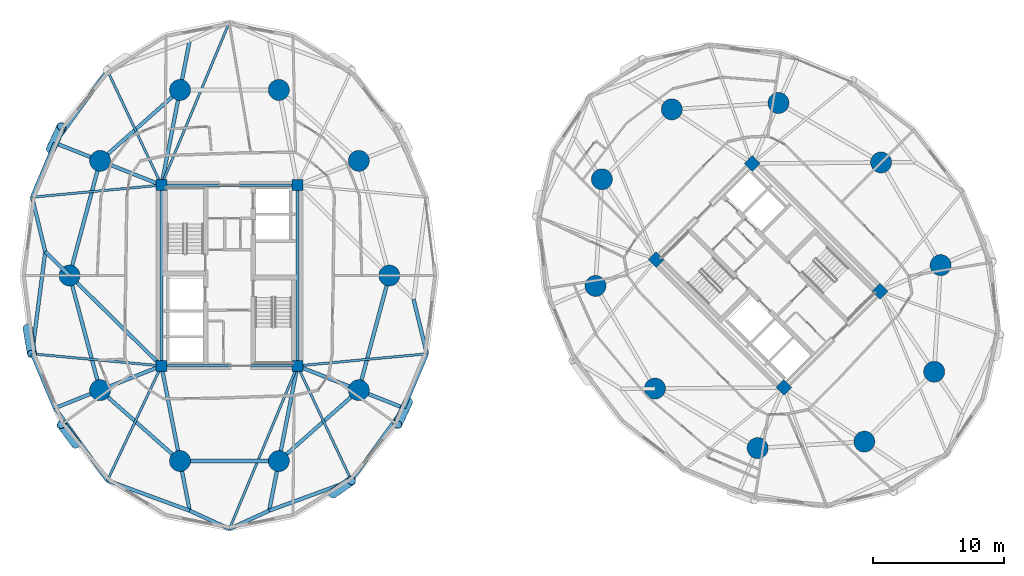
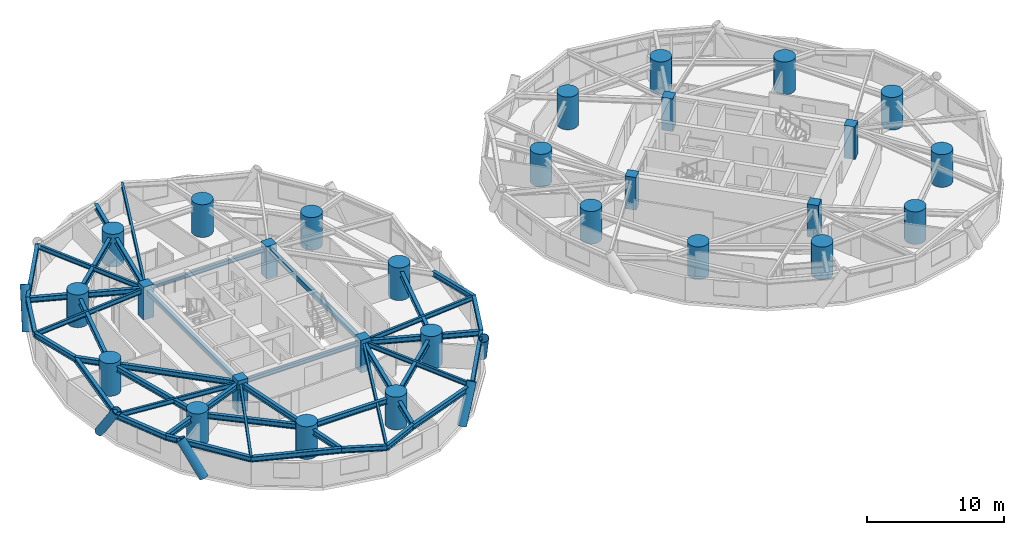
# One storey, part 1 of 16: 40 beams, 28 columns, 5 members.
"""IFC4 building model written with IfcOpenShell, lengths in metres."""

from ifc_helpers import new_model, si_unit, direction, frame, origin, origin_2d, place, context, subcontext, project, spatial, rectangle, hollow_rectangle, circle, hollow_circle, i_section, extrude, material, material_profile, profile_set, type_object, element, save


model = new_model("IFC4")

# Units and contexts
model_context = context("Model", 3, precision=1e-05, world=origin(), true_north=direction((0.0, 1.0)))
body_context = subcontext(model_context, "Body", "Model", "MODEL_VIEW")
ifc_project = project(units=[si_unit("LENGTHUNIT", "METRE"), si_unit("AREAUNIT", "SQUARE_METRE"), si_unit("VOLUMEUNIT", "CUBIC_METRE"), si_unit("PLANEANGLEUNIT", "RADIAN"), si_unit("MASSUNIT", "GRAM", prefix="KILO")], contexts=[model_context])

# Site, building, storey
site_placement = place(None, origin())
site = spatial("IfcSite", under=ifc_project, at=site_placement, CompositionType="ELEMENT")
building_placement = place(site_placement, origin())
building = spatial("IfcBuilding", under=site, at=building_placement, Name="Cununo Teusaquillo Station Towers", CompositionType="ELEMENT")
storey_placement = place(building_placement, frame((0.0, 0.0, 62.739990234375)))
storey = spatial("IfcBuildingStorey", under=building, at=storey_placement, Name="L19", CompositionType="ELEMENT", Elevation=62.739990234375)

# Columns
ifc_material_1 = material(Name="Concrete C50/60", Category="concrete")
ifc_material_profile_1 = material_profile(ifc_material_1, rectangle(XDim=0.85009765625, YDim=0.85009765625, at=origin_2d()), Name="RC-RECT-850x850")
ifc_profile_set_1 = profile_set([ifc_material_profile_1], Name="Concrete C50/60")
column_type_1 = type_object("IfcColumnType", Name="COL-CORE-Z1", PredefinedType="COLUMN", material=ifc_profile_set_1)
for number, where, z_axis, x_axis, name in (
    (1, (11.324951171875, 17.6201171875, 0.0), (0.0, 0.0, 1.0), (1.0, 0.0, 0.0), "L19 Tower A Core Column 1"),
    (2, (11.324951171875, 31.3798828125, 0.0), (0.0, 0.0, 1.0), (1.0, 0.0, 0.0), "L19 Tower A Core Column 2"),
    (3, (21.675048828125, 17.6201171875, 0.0), (0.0, 0.0, 1.0), (1.0, 0.0, 0.0), "L19 Tower A Core Column 3"),
    (4, (21.675048828125, 31.3798828125, 0.0), (0.0, 0.0, 1.0), (1.0, 0.0, 0.0), "L19 Tower A Core Column 4"),
    (5, (58.70556640625, 15.975830078125, 0.0), (0.0, 0.0, 1.0), (0.707106781187, 0.707106781187, 0.0), "L19 Tower B Core Column 1"),
    (6, (48.975830078125, 25.70556640625, 0.0), (0.0, 0.0, 1.0), (0.707106781187, 0.707106781187, 0.0), "L19 Tower B Core Column 2"),
    (7, (66.024169921875, 23.29443359375, 0.0), (0.0, 0.0, 1.0), (0.707106781187, 0.707106781187, 0.0), "L19 Tower B Core Column 3"),
    (8, (56.29443359375, 33.024169921875, 0.0), (0.0, 0.0, 1.0), (0.707106781187, 0.707106781187, 0.0), "L19 Tower B Core Column 4"),
):
    element("IfcColumn", number, at=place(storey_placement, frame(where, z_axis=z_axis, x_axis=x_axis)), inside=storey, type_object=column_type_1, Name=name, PredefinedType="COLUMN", context=body_context, shape_type="SweptSolid", body=[
        extrude(rectangle(XDim=0.85009765625, YDim=0.85009765625, at=origin_2d()), origin(), (0.0, 0.0, 1.0), 2.909912109375),
    ])
ifc_material_2 = material(Name="Concrete C60/75", Category="concrete")
ifc_material_profile_2 = material_profile(ifc_material_2, circle(Radius=0.800048828125, at=origin_2d()), Name="RC-CIRC-1600")
ifc_profile_set_2 = profile_set([ifc_material_profile_2], Name="Concrete C60/75")
column_type_2 = type_object("IfcColumnType", Name="COL-MEGA-Z1", PredefinedType="USERDEFINED", material=ifc_profile_set_2)
for number, where, z_axis, x_axis, name in (
    (9, (28.672119140625, 24.5, 0.0), (0.0, 0.0, 1.0), (1.0, 0.0, 0.0), "L19 Tower A Perimeter Column V00"),
    (10, (26.347412109375, 33.228515625, 0.0), (0.0, 0.0, 1.0), (1.0, 0.0, 0.0), "L19 Tower A Perimeter Column V02"),
    (11, (20.261474609375, 38.623291015625, 0.0), (0.0, 0.0, 1.0), (1.0, 0.0, 0.0), "L19 Tower A Perimeter Column V04"),
    (12, (12.738525390625, 38.623291015625, 0.0), (0.0, 0.0, 1.0), (1.0, 0.0, 0.0), "L19 Tower A Perimeter Column V06"),
    (13, (6.652587890625, 33.228515625, 0.0), (0.0, 0.0, 1.0), (1.0, 0.0, 0.0), "L19 Tower A Perimeter Column V08"),
    (14, (4.327880859375, 24.5, 0.0), (0.0, 0.0, 1.0), (1.0, 0.0, 0.0), "L19 Tower A Perimeter Column V10"),
    (15, (6.652587890625, 15.771484375, 0.0), (0.0, 0.0, 1.0), (1.0, 0.0, 0.0), "L19 Tower A Perimeter Column V12"),
    (16, (12.738525390625, 10.376708984375, 0.0), (0.0, 0.0, 1.0), (1.0, 0.0, 0.0), "L19 Tower A Perimeter Column V14"),
    (17, (20.261474609375, 10.376708984375, 0.0), (0.0, 0.0, 1.0), (1.0, 0.0, 0.0), "L19 Tower A Perimeter Column V16"),
    (18, (26.347412109375, 15.771484375, 0.0), (0.0, 0.0, 1.0), (1.0, 0.0, 0.0), "L19 Tower A Perimeter Column V18"),
    (19, (66.10693359375, 33.10693359375, 0.0), (0.0, 0.0, 1.0), (1.0, 0.0, 0.0), "L19 Tower B Perimeter Column V00"),
    (20, (58.291015625, 37.63525390625, 0.0), (0.0, 0.0, 1.0), (1.0, 0.0, 0.0), "L19 Tower B Perimeter Column V02"),
    (21, (50.173095703125, 37.146240234375, 0.0), (0.0, 0.0, 1.0), (1.0, 0.0, 0.0), "L19 Tower B Perimeter Column V04"),
    (22, (44.853759765625, 31.826904296875, 0.0), (0.0, 0.0, 1.0), (1.0, 0.0, 0.0), "L19 Tower B Perimeter Column V06"),
    (23, (44.36474609375, 23.708984375, 0.0), (0.0, 0.0, 1.0), (1.0, 0.0, 0.0), "L19 Tower B Perimeter Column V08"),
    (24, (48.89306640625, 15.89306640625, 0.0), (0.0, 0.0, 1.0), (1.0, 0.0, 0.0), "L19 Tower B Perimeter Column V10"),
    (25, (56.708984375, 11.36474609375, 0.0), (0.0, 0.0, 1.0), (1.0, 0.0, 0.0), "L19 Tower B Perimeter Column V12"),
    (26, (64.826904296875, 11.853759765625, 0.0), (0.0, 0.0, 1.0), (1.0, 0.0, 0.0), "L19 Tower B Perimeter Column V14"),
    (27, (70.146240234375, 17.173095703125, 0.0), (0.0, 0.0, 1.0), (1.0, 0.0, 0.0), "L19 Tower B Perimeter Column V16"),
    (28, (70.63525390625, 25.291015625, 0.0), (0.0, 0.0, 1.0), (1.0, 0.0, 0.0), "L19 Tower B Perimeter Column V18"),
):
    element("IfcColumn", number, at=place(storey_placement, frame(where, z_axis=z_axis, x_axis=x_axis)), inside=storey, type_object=column_type_2, Name=name, ObjectType="MEGA COLUMN", PredefinedType="USERDEFINED", context=body_context, shape_type="SweptSolid", body=[
        extrude(circle(Radius=0.800048828125, at=origin_2d()), origin(), (0.0, 0.0, 1.0), 2.909912109375),
    ])

# Beams
ifc_material_3 = material(Name="Steel EN 10025-2 S355J2", Category="steel")
ifc_material_profile_3 = material_profile(ifc_material_3, hollow_rectangle(XDim=0.25, YDim=0.449951171875, WallThickness=0.01611328125, at=origin_2d()), Name="RHS 450x250x16")
ifc_profile_set_3 = profile_set([ifc_material_profile_3], Name="Steel EN 10025-2 S355J2")
beam_type_1 = type_object("IfcBeamType", Name="BM-COUP-1", PredefinedType="USERDEFINED", material=ifc_profile_set_3)
for number, where, z_axis, x_axis, name in (
    (29, (11.324951171875, 17.6201171875, 2.344970703125), (0.0, 1.0, 0.0), (-1.0, 0.0, 0.0), "L19 Tower A Core Beam 1"),
    (30, (21.675048828125, 17.6201171875, 2.344970703125), (0.0, 1.0, 0.0), (-1.0, 0.0, 0.0), "L19 Tower A Core Beam 2"),
):
    element("IfcBeam", number, at=place(storey_placement, frame(where, z_axis=z_axis, x_axis=x_axis)), inside=storey, type_object=beam_type_1, Name=name, ObjectType="COUPLING BEAM", PredefinedType="USERDEFINED", context=body_context, shape_type="SweptSolid", body=[
        extrude(hollow_rectangle(XDim=0.25, YDim=0.449951171875, WallThickness=0.01611328125, at=origin_2d()), origin(), (0.0, 0.0, 1.0), 13.759765625),
    ])
ifc_material_4 = material(Name="Steel ASTM A572 Grade 50", Category="steel")
ifc_material_profile_4 = material_profile(ifc_material_4, i_section(OverallWidth=0.180908203125, OverallDepth=0.4169921875, WebThickness=0.010986328125, FlangeThickness=0.018310546875, FilletRadius=0.012939453125, at=origin_2d()), Name="W16X57")
ifc_profile_set_4 = profile_set([ifc_material_profile_4], Name="Steel ASTM A572 Grade 50")
beam_type_2 = type_object("IfcBeamType", Name="BM-JOIST-1", PredefinedType="JOIST", material=ifc_profile_set_4)
beam_1_placement = place(storey_placement, frame((11.324951171875, 31.3798828125, 2.361572265625), z_axis=(0.38487837995, 0.922967297713, 0.0), x_axis=(-0.922967297713, 0.38487837995, 0.0)))
element("IfcBeam", 31, at=beam_1_placement, inside=storey, type_object=beam_type_2, Name="L19 Tower A Radial Spandrel Joist V05", PredefinedType="JOIST", context=body_context, shape_type="SweptSolid", body=[
    extrude(i_section(OverallWidth=0.180908203125, OverallDepth=0.4169921875, WebThickness=0.010986328125, FlangeThickness=0.018310546875, FilletRadius=0.012939453125, at=origin_2d()), origin(), (0.0, 0.0, 1.0), 13.446044921875),
])
beam_2_placement = place(storey_placement, frame((11.324951171875, 31.3798828125, 2.361572265625), z_axis=(-0.426319838016, 0.904572493344, 0.0), x_axis=(-0.904572493344, -0.426319838016, 0.0)))
element("IfcBeam", 32, at=beam_2_placement, inside=storey, type_object=beam_type_2, Name="L19 Tower A Radial Spandrel Joist V07", PredefinedType="JOIST", context=body_context, shape_type="SweptSolid", body=[
    extrude(i_section(OverallWidth=0.180908203125, OverallDepth=0.4169921875, WebThickness=0.010986328125, FlangeThickness=0.018310546875, FilletRadius=0.012939453125, at=origin_2d()), origin(), (0.0, 0.0, 1.0), 9.646728515625),
])
for number, where, z_axis, x_axis, name in (
    (33, (11.324951171875, 31.3798828125, 2.361572265625), (-0.995678537907, -0.09286683558, 0.0), (0.09286683558, -0.995678537907, 0.0), "L19 Tower A Radial Spandrel Joist V09"),
    (34, (11.324951171875, 17.6201171875, 2.361572265625), (-0.995678537907, 0.09286683558, 0.0), (-0.09286683558, -0.995678537907, 0.0), "L19 Tower A Radial Spandrel Joist V11"),
):
    element("IfcBeam", number, at=place(storey_placement, frame(where, z_axis=z_axis, x_axis=x_axis)), inside=storey, type_object=beam_type_2, Name=name, PredefinedType="JOIST", context=body_context, shape_type="SweptSolid", body=[
        extrude(i_section(OverallWidth=0.180908203125, OverallDepth=0.4169921875, WebThickness=0.010986328125, FlangeThickness=0.018310546875, FilletRadius=0.012939453125, at=origin_2d()), origin(), (0.0, 0.0, 1.0), 9.895263671875),
    ])
beam_3_placement = place(storey_placement, frame((11.324951171875, 17.6201171875, 2.361572265625), z_axis=(-0.426319838016, -0.904572493344, 0.0), x_axis=(0.904572493344, -0.426319838016, 0.0)))
element("IfcBeam", 35, at=beam_3_placement, inside=storey, type_object=beam_type_2, Name="L19 Tower A Radial Spandrel Joist V13", PredefinedType="JOIST", context=body_context, shape_type="SweptSolid", body=[
    extrude(i_section(OverallWidth=0.180908203125, OverallDepth=0.4169921875, WebThickness=0.010986328125, FlangeThickness=0.018310546875, FilletRadius=0.012939453125, at=origin_2d()), origin(), (0.0, 0.0, 1.0), 9.646728515625),
])
beam_4_placement = place(storey_placement, frame((21.675048828125, 17.6201171875, 2.361572265625), z_axis=(-0.38487837995, -0.922967297713, 0.0), x_axis=(0.922967297713, -0.38487837995, 0.0)))
element("IfcBeam", 36, at=beam_4_placement, inside=storey, type_object=beam_type_2, Name="L19 Tower A Radial Spandrel Joist V15", PredefinedType="JOIST", context=body_context, shape_type="SweptSolid", body=[
    extrude(i_section(OverallWidth=0.180908203125, OverallDepth=0.4169921875, WebThickness=0.010986328125, FlangeThickness=0.018310546875, FilletRadius=0.012939453125, at=origin_2d()), origin(), (0.0, 0.0, 1.0), 13.446044921875),
])
beam_5_placement = place(storey_placement, frame((21.675048828125, 17.6201171875, 2.361572265625), z_axis=(0.426319838016, -0.904572493344, 0.0), x_axis=(0.904572493344, 0.426319838016, 0.0)))
element("IfcBeam", 37, at=beam_5_placement, inside=storey, type_object=beam_type_2, Name="L19 Tower A Radial Spandrel Joist V17", PredefinedType="JOIST", context=body_context, shape_type="SweptSolid", body=[
    extrude(i_section(OverallWidth=0.180908203125, OverallDepth=0.4169921875, WebThickness=0.010986328125, FlangeThickness=0.018310546875, FilletRadius=0.012939453125, at=origin_2d()), origin(), (0.0, 0.0, 1.0), 9.646728515625),
])
beam_6_placement = place(storey_placement, frame((21.675048828125, 17.6201171875, 2.361572265625), z_axis=(0.995678537907, 0.09286683558, 0.0), x_axis=(-0.09286683558, 0.995678537907, 0.0)))
element("IfcBeam", 38, at=beam_6_placement, inside=storey, type_object=beam_type_2, Name="L19 Tower A Radial Spandrel Joist V19", PredefinedType="JOIST", context=body_context, shape_type="SweptSolid", body=[
    extrude(i_section(OverallWidth=0.180908203125, OverallDepth=0.4169921875, WebThickness=0.010986328125, FlangeThickness=0.018310546875, FilletRadius=0.012939453125, at=origin_2d()), origin(), (0.0, 0.0, 1.0), 9.895263671875),
])
ifc_material_5 = material(Name="Steel ASTM A572 Grade 50", Category="steel")
ifc_material_profile_5 = material_profile(ifc_material_5, i_section(OverallWidth=0.2041015625, OverallDepth=0.35009765625, WebThickness=0.008544921875, FlangeThickness=0.01513671875, FilletRadius=0.011962890625, at=origin_2d()), Name="W14X48")
ifc_profile_set_5 = profile_set([ifc_material_profile_5], Name="Steel ASTM A572 Grade 50")
beam_type_3 = type_object("IfcBeamType", Name="BM-LINTEL-1", PredefinedType="LINTEL", material=ifc_profile_set_5)
for number, where, z_axis, x_axis, name in (
    (39, (11.324951171875, 17.6201171875, 2.39501953125), (1.0, 0.0, 0.0), (0.0, 1.0, 0.0), "L19 Tower A Core Beam 3"),
    (40, (11.324951171875, 31.3798828125, 2.39501953125), (1.0, 0.0, 0.0), (0.0, 1.0, 0.0), "L19 Tower A Core Beam 4"),
):
    element("IfcBeam", number, at=place(storey_placement, frame(where, z_axis=z_axis, x_axis=x_axis)), inside=storey, type_object=beam_type_3, Name=name, PredefinedType="LINTEL", context=body_context, shape_type="SweptSolid", body=[
        extrude(i_section(OverallWidth=0.2041015625, OverallDepth=0.35009765625, WebThickness=0.008544921875, FlangeThickness=0.01513671875, FilletRadius=0.011962890625, at=origin_2d()), origin(), (0.0, 0.0, 1.0), 10.35009765625),
    ])
ifc_material_6 = material(Name="Steel ASTM A572 Grade 50", Category="steel")
ifc_material_profile_6 = material_profile(ifc_material_6, i_section(OverallWidth=0.280029296875, OverallDepth=0.462890625, WebThickness=0.0107421875, FlangeThickness=0.017333984375, FilletRadius=0.013916015625, at=origin_2d()), Name="W18X76")
ifc_profile_set_6 = profile_set([ifc_material_profile_6], Name="Steel ASTM A572 Grade 50")
beam_type_4 = type_object("IfcBeamType", Name="BM-RAD-G1", PredefinedType="BEAM", material=ifc_profile_set_6)
beam_7_placement = place(storey_placement, frame((11.324951171875, 31.3798828125, 2.338623046875), z_axis=(0.191552755713, 0.981482318628, 0.0), x_axis=(-0.981482318628, 0.191552755713, 0.0)))
element("IfcBeam", 41, at=beam_7_placement, inside=storey, type_object=beam_type_4, Name="L19 Tower A Continuous Overhanging Radial Girder 04", PredefinedType="BEAM", context=body_context, shape_type="SweptSolid", body=[
    extrude(i_section(OverallWidth=0.280029296875, OverallDepth=0.462890625, WebThickness=0.0107421875, FlangeThickness=0.017333984375, FilletRadius=0.013916015625, at=origin_2d()), origin(), (0.0, 0.0, 1.0), 11.22998046875),
])
beam_8_placement = place(storey_placement, frame((11.324951171875, 31.3798828125, 2.338623046875), z_axis=(-0.929863123823, 0.367905654963, 0.0), x_axis=(-0.367905654963, -0.929863123823, 0.0)))
element("IfcBeam", 42, at=beam_8_placement, inside=storey, type_object=beam_type_4, Name="L19 Tower A Continuous Overhanging Radial Girder 05", PredefinedType="BEAM", context=body_context, shape_type="SweptSolid", body=[
    extrude(i_section(OverallWidth=0.280029296875, OverallDepth=0.462890625, WebThickness=0.0107421875, FlangeThickness=0.017333984375, FilletRadius=0.013916015625, at=origin_2d()), origin(), (0.0, 0.0, 1.0), 8.715087890625),
])
beam_9_placement = place(storey_placement, frame((11.324951171875, 17.6201171875, 2.338623046875), z_axis=(-0.713052701438, 0.701110437073, 0.0), x_axis=(-0.701110437073, -0.713052701438, 0.0)))
element("IfcBeam", 43, at=beam_9_placement, inside=storey, type_object=beam_type_4, Name="L19 Tower A Radial Girder 06A", PredefinedType="BEAM", context=body_context, shape_type="SweptSolid", body=[
    extrude(i_section(OverallWidth=0.280029296875, OverallDepth=0.462890625, WebThickness=0.0107421875, FlangeThickness=0.017333984375, FilletRadius=0.013916015625, at=origin_2d()), origin(), (0.0, 0.0, 1.0), 9.812744140625),
])
beam_10_placement = place(storey_placement, frame((4.327880859375, 24.5, 2.338623046875), z_axis=(-0.7130260383, 0.701137553342, 0.0), x_axis=(-0.701137553342, -0.7130260383, 0.0)))
element("IfcBeam", 44, at=beam_10_placement, inside=storey, type_object=beam_type_4, Name="L19 Tower A Perimeter Overhang Girder 06B", PredefinedType="BEAM", context=body_context, shape_type="SweptSolid", body=[
    extrude(i_section(OverallWidth=0.280029296875, OverallDepth=0.462890625, WebThickness=0.0107421875, FlangeThickness=0.017333984375, FilletRadius=0.013916015625, at=origin_2d()), origin(), (0.0, 0.0, 1.0), 2.58740234375),
])
beam_11_placement = place(storey_placement, frame((11.324951171875, 17.6201171875, 2.338623046875), z_axis=(-0.929863123823, -0.367905654963, 0.0), x_axis=(0.367905654963, -0.929863123823, 0.0)))
element("IfcBeam", 45, at=beam_11_placement, inside=storey, type_object=beam_type_4, Name="L19 Tower A Continuous Overhanging Radial Girder 07", PredefinedType="BEAM", context=body_context, shape_type="SweptSolid", body=[
    extrude(i_section(OverallWidth=0.280029296875, OverallDepth=0.462890625, WebThickness=0.0107421875, FlangeThickness=0.017333984375, FilletRadius=0.013916015625, at=origin_2d()), origin(), (0.0, 0.0, 1.0), 8.715087890625),
])
for number, where, z_axis, x_axis, name in (
    (46, (11.324951171875, 17.6201171875, 2.338623046875), (0.191552755713, -0.981482318628, 0.0), (0.981482318628, 0.191552755713, 0.0), "L19 Tower A Continuous Overhanging Radial Girder 08"),
    (47, (21.675048828125, 17.6201171875, 2.338623046875), (-0.191552755713, -0.981482318628, 0.0), (0.981482318628, -0.191552755713, 0.0), "L19 Tower A Continuous Overhanging Radial Girder 09"),
):
    element("IfcBeam", number, at=place(storey_placement, frame(where, z_axis=z_axis, x_axis=x_axis)), inside=storey, type_object=beam_type_4, Name=name, PredefinedType="BEAM", context=body_context, shape_type="SweptSolid", body=[
        extrude(i_section(OverallWidth=0.280029296875, OverallDepth=0.462890625, WebThickness=0.0107421875, FlangeThickness=0.017333984375, FilletRadius=0.013916015625, at=origin_2d()), origin(), (0.0, 0.0, 1.0), 11.22998046875),
    ])
beam_12_placement = place(storey_placement, frame((21.675048828125, 17.6201171875, 2.338623046875), z_axis=(0.929863123823, -0.367905654963, 0.0), x_axis=(0.367905654963, 0.929863123823, 0.0)))
element("IfcBeam", 48, at=beam_12_placement, inside=storey, type_object=beam_type_4, Name="L19 Tower A Continuous Overhanging Radial Girder 10", PredefinedType="BEAM", context=body_context, shape_type="SweptSolid", body=[
    extrude(i_section(OverallWidth=0.280029296875, OverallDepth=0.462890625, WebThickness=0.0107421875, FlangeThickness=0.017333984375, FilletRadius=0.013916015625, at=origin_2d()), origin(), (0.0, 0.0, 1.0), 8.715087890625),
])
ifc_material_7 = material(Name="Steel ASTM A572 Grade 50", Category="steel")
ifc_material_profile_7 = material_profile(ifc_material_7, i_section(OverallWidth=0.280029296875, OverallDepth=0.462890625, WebThickness=0.0107421875, FlangeThickness=0.017333984375, FilletRadius=0.013916015625, at=origin_2d()), Name="W18X76")
ifc_profile_set_7 = profile_set([ifc_material_profile_7], Name="Steel ASTM A572 Grade 50")
beam_type_5 = type_object("IfcBeamType", Name="BM-RING-Z2", PredefinedType="SPANDREL", material=ifc_profile_set_7)
beam_13_placement = place(storey_placement, frame((12.738525390625, 38.623291015625, 2.338623046875), z_axis=(-0.74832120039, -0.66333655187, 0.0), x_axis=(0.66333655187, -0.74832120039, 0.0)))
element("IfcBeam", 49, at=beam_13_placement, inside=storey, type_object=beam_type_5, Name="L19 Tower A Structural Column Ring Girder 04", PredefinedType="SPANDREL", context=body_context, shape_type="SweptSolid", body=[
    extrude(i_section(OverallWidth=0.280029296875, OverallDepth=0.462890625, WebThickness=0.0107421875, FlangeThickness=0.017333984375, FilletRadius=0.013916015625, at=origin_2d()), origin(), (0.0, 0.0, 1.0), 8.1328125),
])
for number, where, z_axis, x_axis, name in (
    (50, (6.652587890625, 33.228515625, 2.338623046875), (-0.257363196347, -0.966314744359, 0.0), (0.966314744359, -0.257363196347, 0.0), "L19 Tower A Structural Column Ring Girder 05"),
    (51, (4.327880859375, 24.5, 2.338623046875), (0.257363196347, -0.966314744359, 0.0), (0.966314744359, 0.257363196347, 0.0), "L19 Tower A Structural Column Ring Girder 06"),
):
    element("IfcBeam", number, at=place(storey_placement, frame(where, z_axis=z_axis, x_axis=x_axis)), inside=storey, type_object=beam_type_5, Name=name, PredefinedType="SPANDREL", context=body_context, shape_type="SweptSolid", body=[
        extrude(i_section(OverallWidth=0.280029296875, OverallDepth=0.462890625, WebThickness=0.0107421875, FlangeThickness=0.017333984375, FilletRadius=0.013916015625, at=origin_2d()), origin(), (0.0, 0.0, 1.0), 9.03271484375),
    ])
beam_14_placement = place(storey_placement, frame((6.652587890625, 15.771484375, 2.338623046875), z_axis=(0.74832120039, -0.66333655187, 0.0), x_axis=(0.66333655187, 0.74832120039, 0.0)))
element("IfcBeam", 52, at=beam_14_placement, inside=storey, type_object=beam_type_5, Name="L19 Tower A Structural Column Ring Girder 07", PredefinedType="SPANDREL", context=body_context, shape_type="SweptSolid", body=[
    extrude(i_section(OverallWidth=0.280029296875, OverallDepth=0.462890625, WebThickness=0.0107421875, FlangeThickness=0.017333984375, FilletRadius=0.013916015625, at=origin_2d()), origin(), (0.0, 0.0, 1.0), 8.1328125),
])
beam_15_placement = place(storey_placement, frame((12.738525390625, 10.376708984375, 2.338623046875), z_axis=(1.0, 0.0, 0.0), x_axis=(0.0, 1.0, 0.0)))
element("IfcBeam", 53, at=beam_15_placement, inside=storey, type_object=beam_type_5, Name="L19 Tower A Structural Column Ring Girder 08", PredefinedType="SPANDREL", context=body_context, shape_type="SweptSolid", body=[
    extrude(i_section(OverallWidth=0.280029296875, OverallDepth=0.462890625, WebThickness=0.0107421875, FlangeThickness=0.017333984375, FilletRadius=0.013916015625, at=origin_2d()), origin(), (0.0, 0.0, 1.0), 7.52294921875),
])
beam_16_placement = place(storey_placement, frame((20.261474609375, 10.376708984375, 2.338623046875), z_axis=(0.74832120039, 0.66333655187, 0.0), x_axis=(-0.66333655187, 0.74832120039, 0.0)))
element("IfcBeam", 54, at=beam_16_placement, inside=storey, type_object=beam_type_5, Name="L19 Tower A Structural Column Ring Girder 09", PredefinedType="SPANDREL", context=body_context, shape_type="SweptSolid", body=[
    extrude(i_section(OverallWidth=0.280029296875, OverallDepth=0.462890625, WebThickness=0.0107421875, FlangeThickness=0.017333984375, FilletRadius=0.013916015625, at=origin_2d()), origin(), (0.0, 0.0, 1.0), 8.1328125),
])
beam_17_placement = place(storey_placement, frame((26.347412109375, 15.771484375, 2.338623046875), z_axis=(0.257363196347, 0.966314744359, 0.0), x_axis=(-0.966314744359, 0.257363196347, 0.0)))
element("IfcBeam", 55, at=beam_17_placement, inside=storey, type_object=beam_type_5, Name="L19 Tower A Structural Column Ring Girder 10", PredefinedType="SPANDREL", context=body_context, shape_type="SweptSolid", body=[
    extrude(i_section(OverallWidth=0.280029296875, OverallDepth=0.462890625, WebThickness=0.0107421875, FlangeThickness=0.017333984375, FilletRadius=0.013916015625, at=origin_2d()), origin(), (0.0, 0.0, 1.0), 9.03271484375),
])
beam_18_placement = place(storey_placement, frame((7.21240234375, 40.10595703125, 2.338623046875), z_axis=(-0.58594455724, -0.810351143543, 0.0), x_axis=(0.810351143543, -0.58594455724, 0.0)))
element("IfcBeam", 56, at=beam_18_placement, inside=storey, type_object=beam_type_5, Name="L19 Tower A Spandrel Ring Beam 08", PredefinedType="SPANDREL", context=body_context, shape_type="SweptSolid", body=[
    extrude(i_section(OverallWidth=0.280029296875, OverallDepth=0.462890625, WebThickness=0.0107421875, FlangeThickness=0.017333984375, FilletRadius=0.013916015625, at=origin_2d()), origin(), (0.0, 0.0, 1.0), 6.8115234375),
])
beam_19_placement = place(storey_placement, frame((3.22119140625, 34.586181640625, 2.338623046875), z_axis=(-0.390299356049, -0.920688010494, 0.0), x_axis=(0.920688010494, -0.390299356049, 0.0)))
element("IfcBeam", 57, at=beam_19_placement, inside=storey, type_object=beam_type_5, Name="L19 Tower A Spandrel Ring Beam 09", PredefinedType="SPANDREL", context=body_context, shape_type="SweptSolid", body=[
    extrude(i_section(OverallWidth=0.280029296875, OverallDepth=0.462890625, WebThickness=0.0107421875, FlangeThickness=0.017333984375, FilletRadius=0.013916015625, at=origin_2d()), origin(), (0.0, 0.0, 1.0), 4.480712890625),
])
beam_20_placement = place(storey_placement, frame((1.472412109375, 30.4609375, 2.338623046875), z_axis=(0.236757334703, -0.971568816124, 0.0), x_axis=(0.971568816124, 0.236757334703, 0.0)))
element("IfcBeam", 58, at=beam_20_placement, inside=storey, type_object=beam_type_5, Name="L19 Tower A Spandrel Ring Beam 10", PredefinedType="SPANDREL", context=body_context, shape_type="SweptSolid", body=[
    extrude(i_section(OverallWidth=0.280029296875, OverallDepth=0.462890625, WebThickness=0.0107421875, FlangeThickness=0.017333984375, FilletRadius=0.013916015625, at=origin_2d()), origin(), (0.0, 0.0, 1.0), 4.26806640625),
])
beam_21_placement = place(storey_placement, frame((2.48291015625, 26.314208984375, 2.338623046875), z_axis=(-0.12888124113, -0.991660035337, 0.0), x_axis=(0.991660035337, -0.12888124113, 0.0)))
element("IfcBeam", 59, at=beam_21_placement, inside=storey, type_object=beam_type_5, Name="L19 Tower A Spandrel Ring Beam 11", PredefinedType="SPANDREL", context=body_context, shape_type="SweptSolid", body=[
    extrude(i_section(OverallWidth=0.280029296875, OverallDepth=0.462890625, WebThickness=0.0107421875, FlangeThickness=0.017333984375, FilletRadius=0.013916015625, at=origin_2d()), origin(), (0.0, 0.0, 1.0), 7.840576171875),
])
beam_22_placement = place(storey_placement, frame((1.472412109375, 18.5390625, 2.338623046875), z_axis=(0.390299356049, -0.920688010494, 0.0), x_axis=(0.920688010494, 0.390299356049, 0.0)))
element("IfcBeam", 60, at=beam_22_placement, inside=storey, type_object=beam_type_5, Name="L19 Tower A Spandrel Ring Beam 12", PredefinedType="SPANDREL", context=body_context, shape_type="SweptSolid", body=[
    extrude(i_section(OverallWidth=0.280029296875, OverallDepth=0.462890625, WebThickness=0.0107421875, FlangeThickness=0.017333984375, FilletRadius=0.013916015625, at=origin_2d()), origin(), (0.0, 0.0, 1.0), 4.480712890625),
])
beam_23_placement = place(storey_placement, frame((3.22119140625, 14.413818359375, 2.338623046875), z_axis=(0.58594455724, -0.810351143543, 0.0), x_axis=(0.810351143543, 0.58594455724, 0.0)))
element("IfcBeam", 61, at=beam_23_placement, inside=storey, type_object=beam_type_5, Name="L19 Tower A Spandrel Ring Beam 13", PredefinedType="SPANDREL", context=body_context, shape_type="SweptSolid", body=[
    extrude(i_section(OverallWidth=0.280029296875, OverallDepth=0.462890625, WebThickness=0.0107421875, FlangeThickness=0.017333984375, FilletRadius=0.013916015625, at=origin_2d()), origin(), (0.0, 0.0, 1.0), 6.8115234375),
])
beam_24_placement = place(storey_placement, frame((7.21240234375, 8.89404296875, 2.338623046875), z_axis=(0.938914161016, -0.34415141761, 0.0), x_axis=(0.34415141761, 0.938914161016, 0.0)))
element("IfcBeam", 62, at=beam_24_placement, inside=storey, type_object=beam_type_5, Name="L19 Tower A Spandrel Ring Beam 14", PredefinedType="SPANDREL", context=body_context, shape_type="SweptSolid", body=[
    extrude(i_section(OverallWidth=0.280029296875, OverallDepth=0.462890625, WebThickness=0.0107421875, FlangeThickness=0.017333984375, FilletRadius=0.013916015625, at=origin_2d()), origin(), (0.0, 0.0, 1.0), 6.671142578125),
])
for number, where, z_axis, x_axis, name in (
    (63, (13.47607421875, 6.59814453125, 2.338623046875), (0.908812215281, -0.417205413862, 0.0), (0.417205413862, 0.908812215281, 0.0), "L19 Tower A Spandrel Ring Beam 15"),
    (64, (16.5, 5.2099609375, 2.338623046875), (0.908812215281, 0.417205413862, 0.0), (-0.417205413862, 0.908812215281, 0.0), "L19 Tower A Spandrel Ring Beam 16"),
):
    element("IfcBeam", number, at=place(storey_placement, frame(where, z_axis=z_axis, x_axis=x_axis)), inside=storey, type_object=beam_type_5, Name=name, PredefinedType="SPANDREL", context=body_context, shape_type="SweptSolid", body=[
        extrude(i_section(OverallWidth=0.280029296875, OverallDepth=0.462890625, WebThickness=0.0107421875, FlangeThickness=0.017333984375, FilletRadius=0.013916015625, at=origin_2d()), origin(), (0.0, 0.0, 1.0), 3.327392578125),
    ])
beam_25_placement = place(storey_placement, frame((19.52392578125, 6.59814453125, 2.338623046875), z_axis=(0.938914161016, 0.34415141761, 0.0), x_axis=(-0.34415141761, 0.938914161016, 0.0)))
element("IfcBeam", 65, at=beam_25_placement, inside=storey, type_object=beam_type_5, Name="L19 Tower A Spandrel Ring Beam 17", PredefinedType="SPANDREL", context=body_context, shape_type="SweptSolid", body=[
    extrude(i_section(OverallWidth=0.280029296875, OverallDepth=0.462890625, WebThickness=0.0107421875, FlangeThickness=0.017333984375, FilletRadius=0.013916015625, at=origin_2d()), origin(), (0.0, 0.0, 1.0), 6.671142578125),
])
beam_26_placement = place(storey_placement, frame((25.78759765625, 8.89404296875, 2.338623046875), z_axis=(0.58594455724, 0.810351143543, 0.0), x_axis=(-0.810351143543, 0.58594455724, 0.0)))
element("IfcBeam", 66, at=beam_26_placement, inside=storey, type_object=beam_type_5, Name="L19 Tower A Spandrel Ring Beam 18", PredefinedType="SPANDREL", context=body_context, shape_type="SweptSolid", body=[
    extrude(i_section(OverallWidth=0.280029296875, OverallDepth=0.462890625, WebThickness=0.0107421875, FlangeThickness=0.017333984375, FilletRadius=0.013916015625, at=origin_2d()), origin(), (0.0, 0.0, 1.0), 6.8115234375),
])
beam_27_placement = place(storey_placement, frame((29.77880859375, 14.413818359375, 2.338623046875), z_axis=(0.390299356049, 0.920688010494, 0.0), x_axis=(-0.920688010494, 0.390299356049, 0.0)))
element("IfcBeam", 67, at=beam_27_placement, inside=storey, type_object=beam_type_5, Name="L19 Tower A Spandrel Ring Beam 19", PredefinedType="SPANDREL", context=body_context, shape_type="SweptSolid", body=[
    extrude(i_section(OverallWidth=0.280029296875, OverallDepth=0.462890625, WebThickness=0.0107421875, FlangeThickness=0.017333984375, FilletRadius=0.013916015625, at=origin_2d()), origin(), (0.0, 0.0, 1.0), 4.480712890625),
])
beam_28_placement = place(storey_placement, frame((31.527587890625, 18.5390625, 2.338623046875), z_axis=(-0.236757334703, 0.971568816124, 0.0), x_axis=(-0.971568816124, -0.236757334703, 0.0)))
element("IfcBeam", 68, at=beam_28_placement, inside=storey, type_object=beam_type_5, Name="L19 Tower A Spandrel Ring Beam 20", PredefinedType="SPANDREL", context=body_context, shape_type="SweptSolid", body=[
    extrude(i_section(OverallWidth=0.280029296875, OverallDepth=0.462890625, WebThickness=0.0107421875, FlangeThickness=0.017333984375, FilletRadius=0.013916015625, at=origin_2d()), origin(), (0.0, 0.0, 1.0), 4.26806640625),
])

# Members
ifc_material_8 = material(Name="Steel EN 10025-2 S355J2", Category="steel")
ifc_material_profile_8 = material_profile(ifc_material_8, hollow_circle(Radius=0.360107421875, WallThickness=0.028076171875, at=origin_2d()), Name="CHS 720x28")
ifc_profile_set_8 = profile_set([ifc_material_profile_8], Name="Steel EN 10025-2 S355J2")
member_type = type_object("IfcMemberType", Name="MBR-DIAG-Z1", PredefinedType="BRACE", material=ifc_profile_set_8)
member_1_placement = place(storey_placement, frame((2.8984375, 34.095458984375, -0.139892578125), z_axis=(0.234535355915, 0.499507131824, 0.83395790786), x_axis=(-0.905186176525, 0.425015277169, 0.0)))
element("IfcMember", 69, at=member_1_placement, inside=storey, type_object=member_type, Name="L19 Tower A Folded-Zigzag Diagrid Tube C08", PredefinedType="BRACE", context=body_context, shape_type="SweptSolid", body=[
    extrude(hollow_circle(Radius=0.360107421875, WallThickness=0.028076171875, at=origin_2d()), origin(), (0.0, 0.0, 1.0), 3.4892578125),
])
member_2_placement = place(storey_placement, frame((1.13525390625, 20.505615234375, -0.139892578125), z_axis=(0.095559437061, -0.557372386333, 0.824745061787), x_axis=(0.985619343616, 0.168980796218, 0.0)))
element("IfcMember", 70, at=member_2_placement, inside=storey, type_object=member_type, Name="L19 Tower A Folded-Zigzag Diagrid Tube C10", PredefinedType="BRACE", context=body_context, shape_type="SweptSolid", body=[
    extrude(hollow_circle(Radius=0.360107421875, WallThickness=0.028076171875, at=origin_2d()), origin(), (0.0, 0.0, 1.0), 3.5283203125),
])
member_3_placement = place(storey_placement, frame((4.82177734375, 11.6728515625, -0.139892578125), z_axis=(-0.320250495148, 0.431481997218, 0.843364041464), x_axis=(-0.802992317084, -0.595989378013, 0.0)))
element("IfcMember", 71, at=member_3_placement, inside=storey, type_object=member_type, Name="L19 Tower A Folded-Zigzag Diagrid Tube C12", PredefinedType="BRACE", context=body_context, shape_type="SweptSolid", body=[
    extrude(hollow_circle(Radius=0.360107421875, WallThickness=0.028076171875, at=origin_2d()), origin(), (0.0, 0.0, 1.0), 3.450439453125),
])
member_4_placement = place(storey_placement, frame((24.35986328125, 7.89501953125, -0.139892578125), z_axis=(0.42094156728, 0.294543928405, 0.857934770933), x_axis=(-0.573311885787, 0.819337220939, 0.0)))
element("IfcMember", 72, at=member_4_placement, inside=storey, type_object=member_type, Name="L19 Tower A Folded-Zigzag Diagrid Tube C16", PredefinedType="BRACE", context=body_context, shape_type="SweptSolid", body=[
    extrude(hollow_circle(Radius=0.360107421875, WallThickness=0.028076171875, at=origin_2d()), origin(), (0.0, 0.0, 1.0), 3.391845703125),
])
member_5_placement = place(storey_placement, frame((30.1015625, 14.904541015625, -0.139892578125), z_axis=(-0.234535355915, -0.499507131824, 0.83395790786), x_axis=(0.905186176525, -0.425015277169, 0.0)))
element("IfcMember", 73, at=member_5_placement, inside=storey, type_object=member_type, Name="L19 Tower A Folded-Zigzag Diagrid Tube C18", PredefinedType="BRACE", context=body_context, shape_type="SweptSolid", body=[
    extrude(hollow_circle(Radius=0.360107421875, WallThickness=0.028076171875, at=origin_2d()), origin(), (0.0, 0.0, 1.0), 3.4892578125),
])

save(model, "model.ifc")
